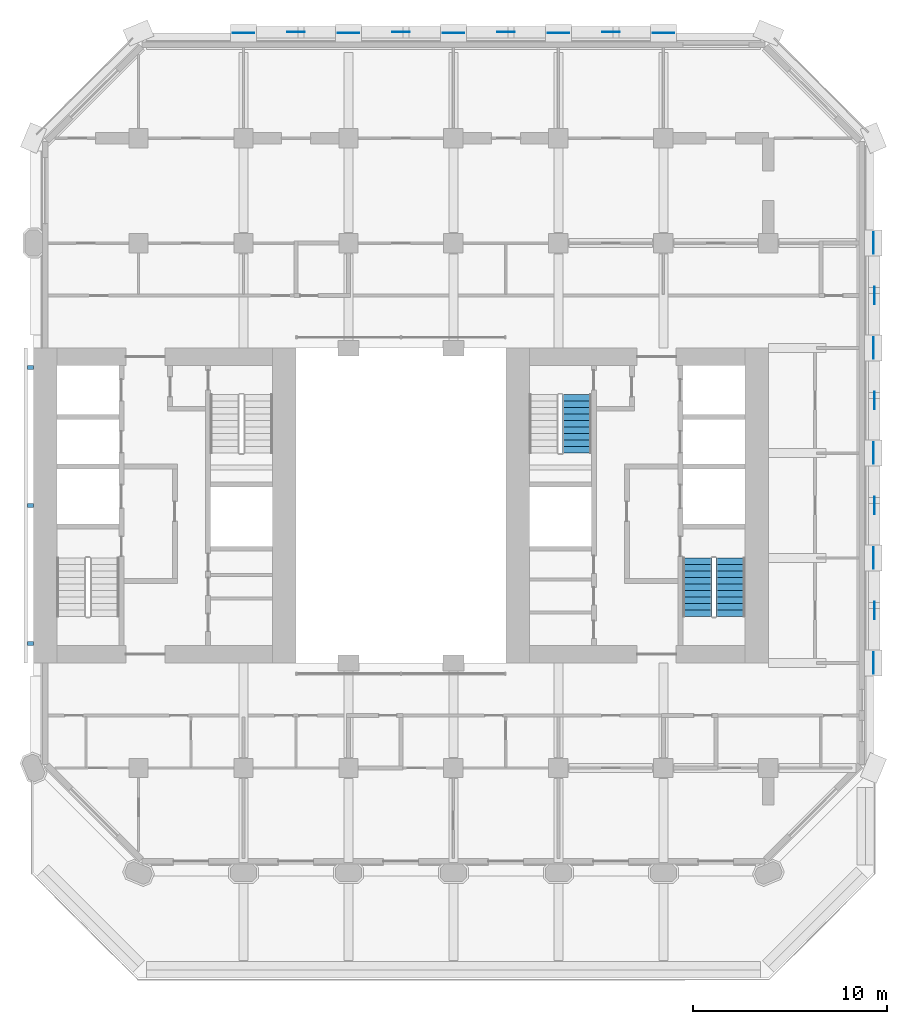
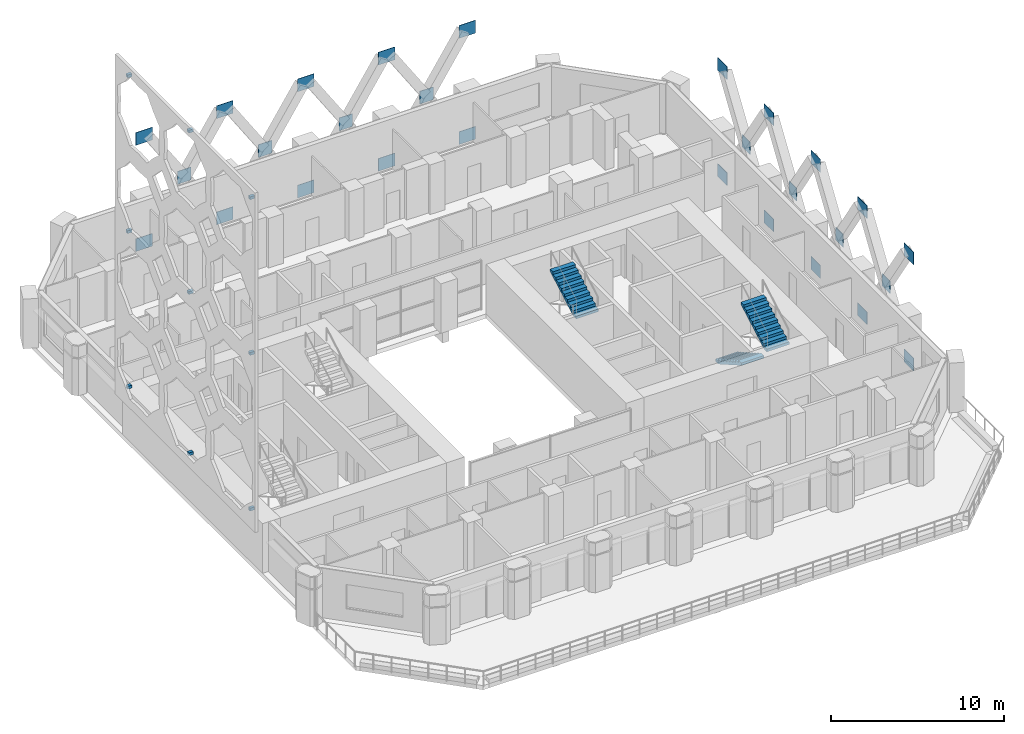
# One storey, part 13 of 16: 37 discrete accessories, 3 stair flights, 2 elements without a shape of their own.
"""IFC4 building model written with IfcOpenShell, lengths in metres."""

from ifc_helpers import new_model, si_unit, direction, frame, origin, origin_2d, place, context, subcontext, project, spatial, polyline, rectangle, outline, extrude, material, layer, layer_set, type_object, element, aggregate, save


model = new_model("IFC4")

# Units and contexts
model_context = context("Model", 3, precision=1e-05, world=origin(), true_north=direction((0.0, 1.0)))
body_context = subcontext(model_context, "Body", "Model", "MODEL_VIEW")
ifc_project = project(units=[si_unit("LENGTHUNIT", "METRE"), si_unit("AREAUNIT", "SQUARE_METRE"), si_unit("VOLUMEUNIT", "CUBIC_METRE"), si_unit("PLANEANGLEUNIT", "RADIAN"), si_unit("MASSUNIT", "GRAM", prefix="KILO")], contexts=[model_context])

# Site, building, storey
site_placement = place(None, origin())
site = spatial("IfcSite", under=ifc_project, at=site_placement, CompositionType="ELEMENT")
building_placement = place(site_placement, origin())
building = spatial("IfcBuilding", under=site, at=building_placement, Name="Tabaq Tower and Sports Hall", CompositionType="ELEMENT")
storey_placement = place(building_placement, frame((0.0, 0.0, 65.0)))
storey = spatial("IfcBuildingStorey", under=building, at=storey_placement, Name="L14", CompositionType="ELEMENT", Elevation=65.0)

# Stair, stair flights
ifc_material_1 = material(Name="Concrete C40/50", Category="concrete")
stair_type = type_object("IfcStairType", Name="Exit stair", PredefinedType="HALF_TURN_STAIR", material=ifc_material_1)
stair_1_placement = place(storey_placement, origin())
stair_1 = element("IfcStair", 1, at=stair_1_placement, inside=storey, type_object=stair_type, Name="L14 Exit stair ST3", PredefinedType="HALF_TURN_STAIR")
ifc_material_2 = material(Name="Concrete C40/50", Category="concrete")
stair_flight_type = type_object("IfcStairFlightType", Name="Exit stair flight", PredefinedType="STRAIGHT", material=ifc_material_2)
stair_flight_1_placement = place(storey_placement, frame((39.550048828125, 21.60009765625, 0.0), z_axis=(0.0, 0.0, 1.0), x_axis=(0.0, -1.0, 0.0)))
stair_flight_1 = element("IfcStairFlight", 2, at=stair_flight_1_placement, type_object=stair_flight_type, Name="ST3 flight 1", NumberOfRisers=10, NumberOfTreads=9, PredefinedType="STRAIGHT", RiserHeight=0.19, TreadLength=0.333333333, context=body_context, shape_type="SweptSolid", body=[
    extrude(outline(polyline([(0.0, 0.0), (0.0, 0.18994140625), (0.333251953125, 0.18994140625), (0.333251953125, 0.3798828125), (0.666748046875, 0.3798828125), (0.666748046875, 0.570068359375), (1.0, 0.570068359375), (1.0, 0.760009765625), (1.333251953125, 0.760009765625), (1.333251953125, 0.949951171875), (1.666748046875, 0.949951171875), (1.666748046875, 1.139892578125), (2.0, 1.139892578125), (2.0, 1.330078125), (2.333251953125, 1.330078125), (2.333251953125, 1.52001953125), (2.666748046875, 1.52001953125), (2.666748046875, 1.7099609375), (3.0, 1.7099609375), (3.0, 1.89990234375), (3.0, 1.537353515625), (0.302734375, 0.0), (0.0, 0.0)])), frame((0.0, 0.75, 0.0), z_axis=(0.0, -1.0, 0.0), x_axis=(1.0, 0.0, 0.0)), (0.0, 0.0, 1.0), 1.5),
])
stair_flight_2_placement = place(storey_placement, frame((41.25, 18.60009765625, 1.89990234375), z_axis=(0.0, 0.0, 1.0), x_axis=(0.0, 1.0, 0.0)))
stair_flight_2 = element("IfcStairFlight", 3, at=stair_flight_2_placement, type_object=stair_flight_type, Name="ST3 flight 2", NumberOfRisers=10, NumberOfTreads=9, PredefinedType="STRAIGHT", RiserHeight=0.19, TreadLength=0.333333333, context=body_context, shape_type="SweptSolid", body=[
    extrude(outline(polyline([(0.0, 0.0), (0.0, 0.18994140625), (0.333251953125, 0.18994140625), (0.333251953125, 0.3798828125), (0.666748046875, 0.3798828125), (0.666748046875, 0.570068359375), (1.0, 0.570068359375), (1.0, 0.760009765625), (1.333251953125, 0.760009765625), (1.333251953125, 0.949951171875), (1.666748046875, 0.949951171875), (1.666748046875, 1.139892578125), (2.0, 1.139892578125), (2.0, 1.330078125), (2.333251953125, 1.330078125), (2.333251953125, 1.52001953125), (2.666748046875, 1.52001953125), (2.666748046875, 1.7099609375), (3.0, 1.7099609375), (3.0, 1.89990234375), (3.0, 1.537353515625), (0.302734375, 0.0), (0.0, 0.0)])), frame((0.0, 0.75, 0.0), z_axis=(0.0, -1.0, 0.0), x_axis=(1.0, 0.0, 0.0)), (0.0, 0.0, 1.0), 1.5),
])
aggregate(stair_1, [stair_flight_1, stair_flight_2])

# Stair, stair flight
stair_2_placement = place(storey_placement, origin())
stair_2 = element("IfcStair", 4, at=stair_2_placement, inside=storey, type_object=stair_type, Name="L14 Exit stair ST4", PredefinedType="HALF_TURN_STAIR")
stair_flight_3_placement = place(storey_placement, frame((33.35009765625, 27.0, 1.89990234375), z_axis=(0.0, 0.0, 1.0), x_axis=(0.0, 1.0, 0.0)))
stair_flight_3 = element("IfcStairFlight", 5, at=stair_flight_3_placement, type_object=stair_flight_type, Name="ST4 flight 2", NumberOfRisers=10, NumberOfTreads=9, PredefinedType="STRAIGHT", RiserHeight=0.19, TreadLength=0.333333333, context=body_context, shape_type="SweptSolid", body=[
    extrude(outline(polyline([(0.0, 0.0), (0.0, 0.18994140625), (0.333251953125, 0.18994140625), (0.333251953125, 0.3798828125), (0.666748046875, 0.3798828125), (0.666748046875, 0.570068359375), (1.0, 0.570068359375), (1.0, 0.760009765625), (1.333251953125, 0.760009765625), (1.333251953125, 0.949951171875), (1.666748046875, 0.949951171875), (1.666748046875, 1.139892578125), (2.0, 1.139892578125), (2.0, 1.330078125), (2.333251953125, 1.330078125), (2.333251953125, 1.52001953125), (2.666748046875, 1.52001953125), (2.666748046875, 1.7099609375), (3.0, 1.7099609375), (3.0, 1.89990234375), (3.0, 1.537353515625), (0.302734375, 0.0), (0.0, 0.0)])), frame((0.0, 0.75, 0.0), z_axis=(0.0, -1.0, 0.0), x_axis=(1.0, 0.0, 0.0)), (0.0, 0.0, 1.0), 1.5),
])
aggregate(stair_2, [stair_flight_3])

# Discrete accessories
ifc_material_3 = material(Name="Steel S355", Category="steel")
ifc_layer_1 = layer(ifc_material_3, 0.030029296875)
ifc_layer_set_1 = layer_set([ifc_layer_1], Name="TRANSFER BAND NODE PLATE 1100x900x30 S355")
discrete_accessory_type_1 = type_object("IfcDiscreteAccessoryType", Name="TRANSFER BAND NODE PLATE 1100x900x30 S355", PredefinedType="ANCHORPLATE", material=ifc_layer_set_1)
for number, where, z_axis, x_axis, name in (
    (6, (48.614990234375, 16.199951171875, -0.5), (0.0, 0.0, 1.0), (0.0, 1.0, 0.0), "Transfer band node plate L14 East"),
    (7, (48.614990234375, 21.60009765625, -0.5), (0.0, 0.0, 1.0), (0.0, 1.0, 0.0), "Transfer band node plate L14 East"),
    (8, (48.614990234375, 27.0, -0.5), (0.0, 0.0, 1.0), (0.0, 1.0, 0.0), "Transfer band node plate L14 East"),
    (9, (48.614990234375, 32.39990234375, -0.5), (0.0, 0.0, 1.0), (0.0, 1.0, 0.0), "Transfer band node plate L14 East"),
    (10, (48.614990234375, 37.800048828125, -0.5), (0.0, 0.0, 1.0), (0.0, 1.0, 0.0), "Transfer band node plate L14 East"),
    (11, (48.614990234375, 16.199951171875, 7.0), (0.0, 0.0, 1.0), (0.0, 1.0, 0.0), "Transfer band node plate L14 East"),
    (12, (48.614990234375, 21.60009765625, 7.0), (0.0, 0.0, 1.0), (0.0, 1.0, 0.0), "Transfer band node plate L14 East"),
    (13, (48.614990234375, 27.0, 7.0), (0.0, 0.0, 1.0), (0.0, 1.0, 0.0), "Transfer band node plate L14 East"),
    (14, (48.614990234375, 32.39990234375, 7.0), (0.0, 0.0, 1.0), (0.0, 1.0, 0.0), "Transfer band node plate L14 East"),
    (15, (48.614990234375, 37.800048828125, 7.0), (0.0, 0.0, 1.0), (0.0, 1.0, 0.0), "Transfer band node plate L14 East"),
    (16, (16.199951171875, 48.614990234375, -0.5), (0.0, 0.0, 1.0), (-1.0, 0.0, 0.0), "Transfer band node plate L14 North"),
    (17, (21.60009765625, 48.614990234375, -0.5), (0.0, 0.0, 1.0), (-1.0, 0.0, 0.0), "Transfer band node plate L14 North"),
    (18, (27.0, 48.614990234375, -0.5), (0.0, 0.0, 1.0), (-1.0, 0.0, 0.0), "Transfer band node plate L14 North"),
    (19, (32.39990234375, 48.614990234375, -0.5), (0.0, 0.0, 1.0), (-1.0, 0.0, 0.0), "Transfer band node plate L14 North"),
    (20, (37.800048828125, 48.614990234375, -0.5), (0.0, 0.0, 1.0), (-1.0, 0.0, 0.0), "Transfer band node plate L14 North"),
    (21, (16.199951171875, 48.614990234375, 7.0), (0.0, 0.0, 1.0), (-1.0, 0.0, 0.0), "Transfer band node plate L14 North"),
    (22, (21.60009765625, 48.614990234375, 7.0), (0.0, 0.0, 1.0), (-1.0, 0.0, 0.0), "Transfer band node plate L14 North"),
    (23, (27.0, 48.614990234375, 7.0), (0.0, 0.0, 1.0), (-1.0, 0.0, 0.0), "Transfer band node plate L14 North"),
    (24, (32.39990234375, 48.614990234375, 7.0), (0.0, 0.0, 1.0), (-1.0, 0.0, 0.0), "Transfer band node plate L14 North"),
    (25, (37.800048828125, 48.614990234375, 7.0), (0.0, 0.0, 1.0), (-1.0, 0.0, 0.0), "Transfer band node plate L14 North"),
):
    element("IfcDiscreteAccessory", number, at=place(storey_placement, frame(where, z_axis=z_axis, x_axis=x_axis)), inside=storey, type_object=discrete_accessory_type_1, Name=name, PredefinedType="ANCHORPLATE", context=body_context, shape_type="SweptSolid", body=[
        extrude(rectangle(XDim=1.10009765625, YDim=0.030029296875, at=origin_2d()), origin(), (0.0, 0.0, 1.0), 0.89990234375),
    ])
ifc_material_4 = material(Name="Steel S355", Category="steel")
ifc_layer_2 = layer(ifc_material_4, 0.030029296875)
ifc_layer_set_2 = layer_set([ifc_layer_2], Name="TRANSFER BAND NODE PLATE 900x900x30 S355")
discrete_accessory_type_2 = type_object("IfcDiscreteAccessoryType", Name="TRANSFER BAND NODE PLATE 900x900x30 S355", PredefinedType="ANCHORPLATE", material=ifc_layer_set_2)
for number, where, z_axis, x_axis, name in (
    (26, (48.64990234375, 18.89990234375, 3.25), (0.0, 0.0, 1.0), (0.0, 1.0, 0.0), "Transfer band node plate L14 East"),
    (27, (48.64990234375, 24.300048828125, 3.25), (0.0, 0.0, 1.0), (0.0, 1.0, 0.0), "Transfer band node plate L14 East"),
    (28, (48.64990234375, 29.699951171875, 3.25), (0.0, 0.0, 1.0), (0.0, 1.0, 0.0), "Transfer band node plate L14 East"),
    (29, (48.64990234375, 35.10009765625, 3.25), (0.0, 0.0, 1.0), (0.0, 1.0, 0.0), "Transfer band node plate L14 East"),
    (30, (18.89990234375, 48.64990234375, 3.25), (0.0, 0.0, 1.0), (-1.0, 0.0, 0.0), "Transfer band node plate L14 North"),
    (31, (24.300048828125, 48.64990234375, 3.25), (0.0, 0.0, 1.0), (-1.0, 0.0, 0.0), "Transfer band node plate L14 North"),
    (32, (29.699951171875, 48.64990234375, 3.25), (0.0, 0.0, 1.0), (-1.0, 0.0, 0.0), "Transfer band node plate L14 North"),
    (33, (35.10009765625, 48.64990234375, 3.25), (0.0, 0.0, 1.0), (-1.0, 0.0, 0.0), "Transfer band node plate L14 North"),
):
    element("IfcDiscreteAccessory", number, at=place(storey_placement, frame(where, z_axis=z_axis, x_axis=x_axis)), inside=storey, type_object=discrete_accessory_type_2, Name=name, PredefinedType="ANCHORPLATE", context=body_context, shape_type="SweptSolid", body=[
        extrude(rectangle(XDim=0.89990234375, YDim=0.030029296875, at=origin_2d()), origin(), (0.0, 0.0, 1.0), 0.89990234375),
    ])
for number, where, z_axis, x_axis, name in (
    (34, (5.25, 31.39990234375, 3.9501953125), (0.0, 0.0, 1.0), (0.0, 1.0, 0.0), "Stainless steel bracket"),
    (35, (5.25, 31.39990234375, 14.9501953125), (0.0, 0.0, 1.0), (0.0, 1.0, 0.0), "Stainless steel bracket"),
    (36, (5.25, 31.39990234375, 25.9501953125), (0.0, 0.0, 1.0), (0.0, 1.0, 0.0), "Stainless steel bracket"),
    (37, (5.25, 24.300048828125, 3.5498046875), (0.0, 0.0, 1.0), (0.0, 1.0, 0.0), "Stainless steel bracket"),
    (38, (5.25, 24.300048828125, 14.9501953125), (0.0, 0.0, 1.0), (0.0, 1.0, 0.0), "Stainless steel bracket"),
    (39, (5.25, 24.300048828125, 26.35009765625), (0.0, 0.0, 1.0), (0.0, 1.0, 0.0), "Stainless steel bracket"),
    (40, (5.25, 17.199951171875, 3.9501953125), (0.0, 0.0, 1.0), (0.0, 1.0, 0.0), "Stainless steel bracket"),
    (41, (5.25, 17.199951171875, 14.9501953125), (0.0, 0.0, 1.0), (0.0, 1.0, 0.0), "Stainless steel bracket"),
    (42, (5.25, 17.199951171875, 25.9501953125), (0.0, 0.0, 1.0), (0.0, 1.0, 0.0), "Stainless steel bracket"),
):
    element("IfcDiscreteAccessory", number, at=place(storey_placement, frame(where, z_axis=z_axis, x_axis=x_axis)), inside=storey, Name=name, PredefinedType="BRACKET", context=body_context, shape_type="SweptSolid", body=[
        extrude(rectangle(XDim=0.199951171875, YDim=0.300048828125, at=origin_2d()), origin(), (0.0, 0.0, 1.0), 0.199951171875),
    ])

save(model, "model.ifc")
